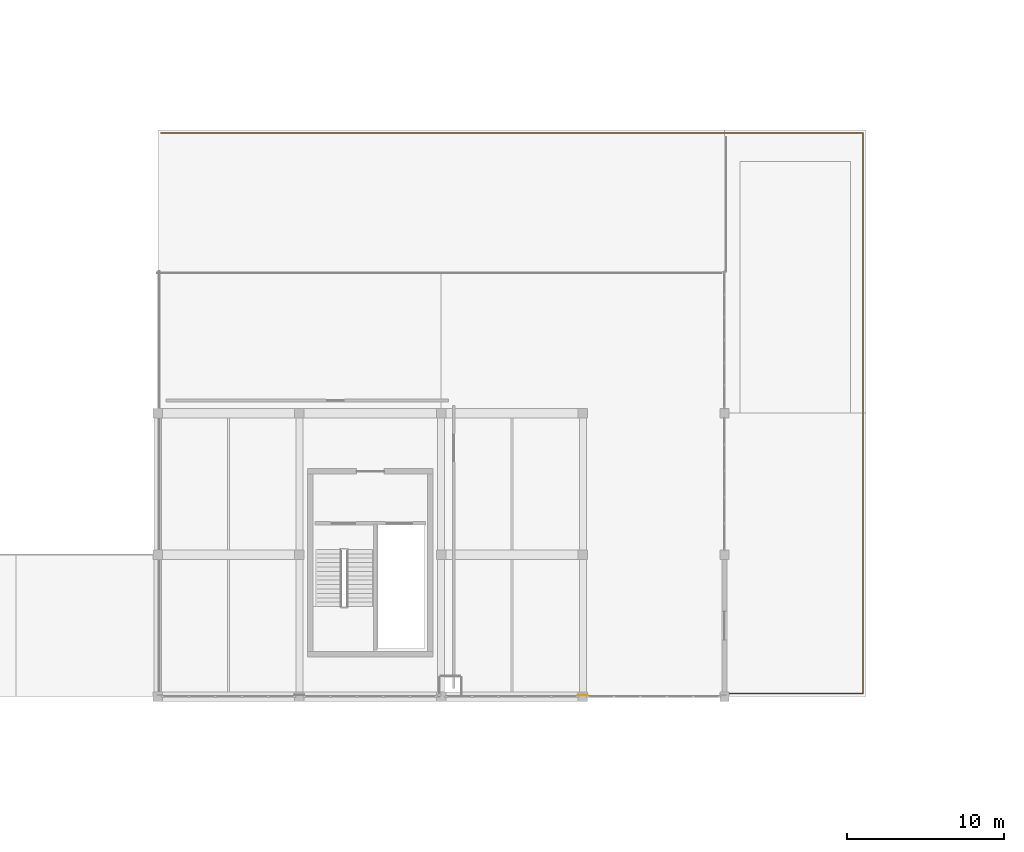
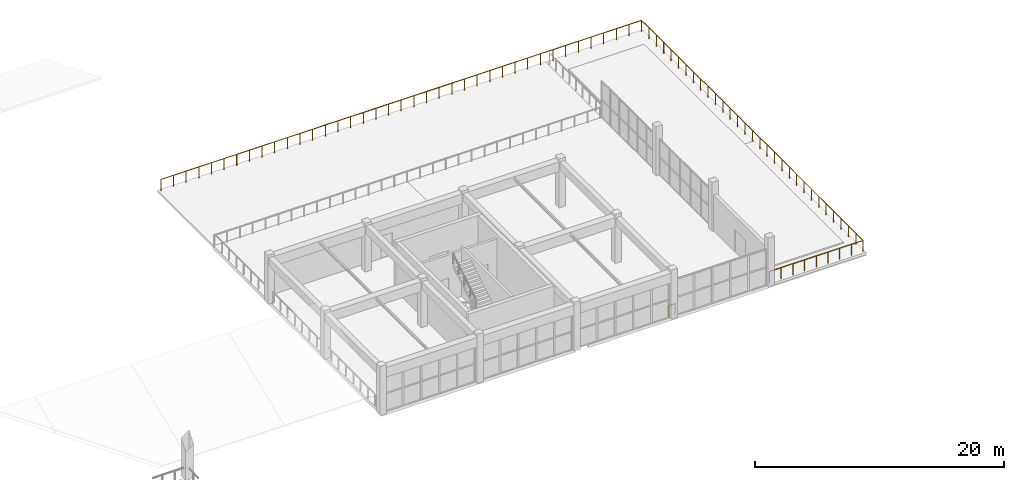
# One storey, part 85 of 89: 2 railings.
"""IFC4 building model written with IfcOpenShell, lengths in metres."""

from ifc_helpers import new_model, si_unit, direction, frame, origin, origin_2d, place, context, subcontext, project, spatial, circle, extrude, material, type_object, element, save


model = new_model("IFC4")

# Units and contexts
model_context = context("Model", 3, precision=1e-05, world=origin(), true_north=direction((0.0, 1.0)))
body_context = subcontext(model_context, "Body", "Model", "MODEL_VIEW")
ifc_project = project(units=[si_unit("LENGTHUNIT", "METRE"), si_unit("AREAUNIT", "SQUARE_METRE"), si_unit("VOLUMEUNIT", "CUBIC_METRE"), si_unit("PLANEANGLEUNIT", "RADIAN"), si_unit("MASSUNIT", "GRAM", prefix="KILO")], contexts=[model_context])

# Site, building, storey
site_placement = place(None, origin())
site = spatial("IfcSite", under=ifc_project, at=site_placement, CompositionType="ELEMENT")
building_placement = place(site_placement, origin())
building = spatial("IfcBuilding", under=site, at=building_placement, Name="Dornveld Trade and Exhibition Forum", CompositionType="ELEMENT")
storey_placement = place(building_placement, frame((0.0, 0.0, 12.0)))
storey = spatial("IfcBuildingStorey", under=building, at=storey_placement, Name="L02", CompositionType="ELEMENT", Elevation=12.0)

# Railings
ifc_material = material(Name="Dark-bronze steel and laminated glass balustrade", Category="steel")
railing_type = type_object("IfcRailingType", Name="RL-BALUST-CONC", PredefinedType="BALUSTRADE", material=ifc_material)
railing_1_placement = place(storey_placement, frame((207.10009765625, 108.199951171875, 0.0)))
element("IfcRailing", 1, at=railing_1_placement, inside=storey, type_object=railing_type, Name="L02 protective edge guard 4", PredefinedType="BALUSTRADE", context=body_context, shape_type="SweptSolid", body=[
    extrude(circle(Radius=0.02490234375, at=origin_2d()), frame((0.0, 0.0, 1.09521484375), z_axis=(1.0, 0.0, 0.0), x_axis=(0.0, 1.0, 0.0)), (0.0, 0.0, 1.0), 8.699951171875),
    extrude(circle(Radius=0.02490234375, at=origin_2d()), frame((8.699951171875, 0.0, 1.09521484375), z_axis=(0.0, 1.0, 0.0), x_axis=(-1.0, 0.0, 0.0)), (0.0, 0.0, 1.0), 35.60009765625),
    extrude(circle(Radius=0.02490234375, at=origin_2d()), frame((8.699951171875, 35.60009765625, 1.09521484375), z_axis=(-1.0, 0.0, 0.0), x_axis=(0.0, -1.0, 0.0)), (0.0, 0.0, 1.0), 44.60009765625),
    extrude(circle(Radius=0.02099609375, at=origin_2d()), origin(), (0.0, 0.0, 1.0), 1.070068359375),
    extrude(circle(Radius=0.02099609375, at=origin_2d()), frame((1.08740234375, 0.0, 0.0)), (0.0, 0.0, 1.0), 1.070068359375),
    extrude(circle(Radius=0.02099609375, at=origin_2d()), frame((2.175048828125, 0.0, 0.0)), (0.0, 0.0, 1.0), 1.070068359375),
    extrude(circle(Radius=0.02099609375, at=origin_2d()), frame((3.262451171875, 0.0, 0.0)), (0.0, 0.0, 1.0), 1.070068359375),
    extrude(circle(Radius=0.02099609375, at=origin_2d()), frame((4.35009765625, 0.0, 0.0)), (0.0, 0.0, 1.0), 1.070068359375),
    extrude(circle(Radius=0.02099609375, at=origin_2d()), frame((5.4375, 0.0, 0.0)), (0.0, 0.0, 1.0), 1.070068359375),
    extrude(circle(Radius=0.02099609375, at=origin_2d()), frame((6.52490234375, 0.0, 0.0)), (0.0, 0.0, 1.0), 1.070068359375),
    extrude(circle(Radius=0.02099609375, at=origin_2d()), frame((7.612548828125, 0.0, 0.0)), (0.0, 0.0, 1.0), 1.070068359375),
    extrude(circle(Radius=0.02099609375, at=origin_2d()), frame((8.699951171875, 0.0, 0.0)), (0.0, 0.0, 1.0), 1.070068359375),
    extrude(circle(Radius=0.02099609375, at=origin_2d()), frame((8.699951171875, 1.186767578125, 0.0)), (0.0, 0.0, 1.0), 1.070068359375),
    extrude(circle(Radius=0.02099609375, at=origin_2d()), frame((8.699951171875, 2.373291015625, 0.0)), (0.0, 0.0, 1.0), 1.070068359375),
    extrude(circle(Radius=0.02099609375, at=origin_2d()), frame((8.699951171875, 3.56005859375, 0.0)), (0.0, 0.0, 1.0), 1.070068359375),
    extrude(circle(Radius=0.02099609375, at=origin_2d()), frame((8.699951171875, 4.74658203125, 0.0)), (0.0, 0.0, 1.0), 1.070068359375),
    extrude(circle(Radius=0.02099609375, at=origin_2d()), frame((8.699951171875, 5.933349609375, 0.0)), (0.0, 0.0, 1.0), 1.070068359375),
    extrude(circle(Radius=0.02099609375, at=origin_2d()), frame((8.699951171875, 7.1201171875, 0.0)), (0.0, 0.0, 1.0), 1.070068359375),
    extrude(circle(Radius=0.02099609375, at=origin_2d()), frame((8.699951171875, 8.306640625, 0.0)), (0.0, 0.0, 1.0), 1.070068359375),
    extrude(circle(Radius=0.02099609375, at=origin_2d()), frame((8.699951171875, 9.493408203125, 0.0)), (0.0, 0.0, 1.0), 1.070068359375),
    extrude(circle(Radius=0.02099609375, at=origin_2d()), frame((8.699951171875, 10.679931640625, 0.0)), (0.0, 0.0, 1.0), 1.070068359375),
    extrude(circle(Radius=0.02099609375, at=origin_2d()), frame((8.699951171875, 11.86669921875, 0.0)), (0.0, 0.0, 1.0), 1.070068359375),
    extrude(circle(Radius=0.02099609375, at=origin_2d()), frame((8.699951171875, 13.053466796875, 0.0)), (0.0, 0.0, 1.0), 1.070068359375),
    extrude(circle(Radius=0.02099609375, at=origin_2d()), frame((8.699951171875, 14.239990234375, 0.0)), (0.0, 0.0, 1.0), 1.070068359375),
    extrude(circle(Radius=0.02099609375, at=origin_2d()), frame((8.699951171875, 15.4267578125, 0.0)), (0.0, 0.0, 1.0), 1.070068359375),
    extrude(circle(Radius=0.02099609375, at=origin_2d()), frame((8.699951171875, 16.61328125, 0.0)), (0.0, 0.0, 1.0), 1.070068359375),
    extrude(circle(Radius=0.02099609375, at=origin_2d()), frame((8.699951171875, 17.800048828125, 0.0)), (0.0, 0.0, 1.0), 1.070068359375),
    extrude(circle(Radius=0.02099609375, at=origin_2d()), frame((8.699951171875, 18.98681640625, 0.0)), (0.0, 0.0, 1.0), 1.070068359375),
    extrude(circle(Radius=0.02099609375, at=origin_2d()), frame((8.699951171875, 20.17333984375, 0.0)), (0.0, 0.0, 1.0), 1.070068359375),
    extrude(circle(Radius=0.02099609375, at=origin_2d()), frame((8.699951171875, 21.360107421875, 0.0)), (0.0, 0.0, 1.0), 1.070068359375),
    extrude(circle(Radius=0.02099609375, at=origin_2d()), frame((8.699951171875, 22.546630859375, 0.0)), (0.0, 0.0, 1.0), 1.070068359375),
    extrude(circle(Radius=0.02099609375, at=origin_2d()), frame((8.699951171875, 23.7333984375, 0.0)), (0.0, 0.0, 1.0), 1.070068359375),
    extrude(circle(Radius=0.02099609375, at=origin_2d()), frame((8.699951171875, 24.920166015625, 0.0)), (0.0, 0.0, 1.0), 1.070068359375),
    extrude(circle(Radius=0.02099609375, at=origin_2d()), frame((8.699951171875, 26.106689453125, 0.0)), (0.0, 0.0, 1.0), 1.070068359375),
    extrude(circle(Radius=0.02099609375, at=origin_2d()), frame((8.699951171875, 27.29345703125, 0.0)), (0.0, 0.0, 1.0), 1.070068359375),
    extrude(circle(Radius=0.02099609375, at=origin_2d()), frame((8.699951171875, 28.47998046875, 0.0)), (0.0, 0.0, 1.0), 1.070068359375),
    extrude(circle(Radius=0.02099609375, at=origin_2d()), frame((8.699951171875, 29.666748046875, 0.0)), (0.0, 0.0, 1.0), 1.070068359375),
    extrude(circle(Radius=0.02099609375, at=origin_2d()), frame((8.699951171875, 30.853515625, 0.0)), (0.0, 0.0, 1.0), 1.070068359375),
    extrude(circle(Radius=0.02099609375, at=origin_2d()), frame((8.699951171875, 32.0400390625, 0.0)), (0.0, 0.0, 1.0), 1.070068359375),
    extrude(circle(Radius=0.02099609375, at=origin_2d()), frame((8.699951171875, 33.226806640625, 0.0)), (0.0, 0.0, 1.0), 1.070068359375),
    extrude(circle(Radius=0.02099609375, at=origin_2d()), frame((8.699951171875, 34.413330078125, 0.0)), (0.0, 0.0, 1.0), 1.070068359375),
    extrude(circle(Radius=0.02099609375, at=origin_2d()), frame((8.699951171875, 35.60009765625, 0.0)), (0.0, 0.0, 1.0), 1.070068359375),
    extrude(circle(Radius=0.02099609375, at=origin_2d()), frame((7.5263671875, 35.60009765625, 0.0)), (0.0, 0.0, 1.0), 1.070068359375),
    extrude(circle(Radius=0.02099609375, at=origin_2d()), frame((6.3525390625, 35.60009765625, 0.0)), (0.0, 0.0, 1.0), 1.070068359375),
    extrude(circle(Radius=0.02099609375, at=origin_2d()), frame((5.178955078125, 35.60009765625, 0.0)), (0.0, 0.0, 1.0), 1.070068359375),
    extrude(circle(Radius=0.02099609375, at=origin_2d()), frame((4.005126953125, 35.60009765625, 0.0)), (0.0, 0.0, 1.0), 1.070068359375),
    extrude(circle(Radius=0.02099609375, at=origin_2d()), frame((2.83154296875, 35.60009765625, 0.0)), (0.0, 0.0, 1.0), 1.070068359375),
    extrude(circle(Radius=0.02099609375, at=origin_2d()), frame((1.65771484375, 35.60009765625, 0.0)), (0.0, 0.0, 1.0), 1.070068359375),
    extrude(circle(Radius=0.02099609375, at=origin_2d()), frame((0.484130859375, 35.60009765625, 0.0)), (0.0, 0.0, 1.0), 1.070068359375),
    extrude(circle(Radius=0.02099609375, at=origin_2d()), frame((-0.689453125, 35.60009765625, 0.0)), (0.0, 0.0, 1.0), 1.070068359375),
    extrude(circle(Radius=0.02099609375, at=origin_2d()), frame((-1.86328125, 35.60009765625, 0.0)), (0.0, 0.0, 1.0), 1.070068359375),
    extrude(circle(Radius=0.02099609375, at=origin_2d()), frame((-3.036865234375, 35.60009765625, 0.0)), (0.0, 0.0, 1.0), 1.070068359375),
    extrude(circle(Radius=0.02099609375, at=origin_2d()), frame((-4.210693359375, 35.60009765625, 0.0)), (0.0, 0.0, 1.0), 1.070068359375),
    extrude(circle(Radius=0.02099609375, at=origin_2d()), frame((-5.38427734375, 35.60009765625, 0.0)), (0.0, 0.0, 1.0), 1.070068359375),
    extrude(circle(Radius=0.02099609375, at=origin_2d()), frame((-6.557861328125, 35.60009765625, 0.0)), (0.0, 0.0, 1.0), 1.070068359375),
    extrude(circle(Radius=0.02099609375, at=origin_2d()), frame((-7.731689453125, 35.60009765625, 0.0)), (0.0, 0.0, 1.0), 1.070068359375),
    extrude(circle(Radius=0.02099609375, at=origin_2d()), frame((-8.9052734375, 35.60009765625, 0.0)), (0.0, 0.0, 1.0), 1.070068359375),
    extrude(circle(Radius=0.02099609375, at=origin_2d()), frame((-10.0791015625, 35.60009765625, 0.0)), (0.0, 0.0, 1.0), 1.070068359375),
    extrude(circle(Radius=0.02099609375, at=origin_2d()), frame((-11.252685546875, 35.60009765625, 0.0)), (0.0, 0.0, 1.0), 1.070068359375),
    extrude(circle(Radius=0.02099609375, at=origin_2d()), frame((-12.426513671875, 35.60009765625, 0.0)), (0.0, 0.0, 1.0), 1.070068359375),
    extrude(circle(Radius=0.02099609375, at=origin_2d()), frame((-13.60009765625, 35.60009765625, 0.0)), (0.0, 0.0, 1.0), 1.070068359375),
    extrude(circle(Radius=0.02099609375, at=origin_2d()), frame((-14.773681640625, 35.60009765625, 0.0)), (0.0, 0.0, 1.0), 1.070068359375),
    extrude(circle(Radius=0.02099609375, at=origin_2d()), frame((-15.947509765625, 35.60009765625, 0.0)), (0.0, 0.0, 1.0), 1.070068359375),
    extrude(circle(Radius=0.02099609375, at=origin_2d()), frame((-17.12109375, 35.60009765625, 0.0)), (0.0, 0.0, 1.0), 1.070068359375),
    extrude(circle(Radius=0.02099609375, at=origin_2d()), frame((-18.294921875, 35.60009765625, 0.0)), (0.0, 0.0, 1.0), 1.070068359375),
    extrude(circle(Radius=0.02099609375, at=origin_2d()), frame((-19.468505859375, 35.60009765625, 0.0)), (0.0, 0.0, 1.0), 1.070068359375),
    extrude(circle(Radius=0.02099609375, at=origin_2d()), frame((-20.642333984375, 35.60009765625, 0.0)), (0.0, 0.0, 1.0), 1.070068359375),
    extrude(circle(Radius=0.02099609375, at=origin_2d()), frame((-21.81591796875, 35.60009765625, 0.0)), (0.0, 0.0, 1.0), 1.070068359375),
    extrude(circle(Radius=0.02099609375, at=origin_2d()), frame((-22.989501953125, 35.60009765625, 0.0)), (0.0, 0.0, 1.0), 1.070068359375),
    extrude(circle(Radius=0.02099609375, at=origin_2d()), frame((-24.163330078125, 35.60009765625, 0.0)), (0.0, 0.0, 1.0), 1.070068359375),
    extrude(circle(Radius=0.02099609375, at=origin_2d()), frame((-25.3369140625, 35.60009765625, 0.0)), (0.0, 0.0, 1.0), 1.070068359375),
    extrude(circle(Radius=0.02099609375, at=origin_2d()), frame((-26.5107421875, 35.60009765625, 0.0)), (0.0, 0.0, 1.0), 1.070068359375),
    extrude(circle(Radius=0.02099609375, at=origin_2d()), frame((-27.684326171875, 35.60009765625, 0.0)), (0.0, 0.0, 1.0), 1.070068359375),
    extrude(circle(Radius=0.02099609375, at=origin_2d()), frame((-28.85791015625, 35.60009765625, 0.0)), (0.0, 0.0, 1.0), 1.070068359375),
    extrude(circle(Radius=0.02099609375, at=origin_2d()), frame((-30.03173828125, 35.60009765625, 0.0)), (0.0, 0.0, 1.0), 1.070068359375),
    extrude(circle(Radius=0.02099609375, at=origin_2d()), frame((-31.205322265625, 35.60009765625, 0.0)), (0.0, 0.0, 1.0), 1.070068359375),
    extrude(circle(Radius=0.02099609375, at=origin_2d()), frame((-32.379150390625, 35.60009765625, 0.0)), (0.0, 0.0, 1.0), 1.070068359375),
    extrude(circle(Radius=0.02099609375, at=origin_2d()), frame((-33.552734375, 35.60009765625, 0.0)), (0.0, 0.0, 1.0), 1.070068359375),
    extrude(circle(Radius=0.02099609375, at=origin_2d()), frame((-34.7265625, 35.60009765625, 0.0)), (0.0, 0.0, 1.0), 1.070068359375),
    extrude(circle(Radius=0.02099609375, at=origin_2d()), frame((-35.900146484375, 35.60009765625, 0.0)), (0.0, 0.0, 1.0), 1.070068359375),
])
railing_2_placement = place(storey_placement, frame((198.2958984375, 108.10009765625, 0.0)))
element("IfcRailing", 2, at=railing_2_placement, inside=storey, type_object=railing_type, Name="L02 deck edge balustrade 117", PredefinedType="BALUSTRADE", context=body_context, shape_type="SweptSolid", body=[
    extrude(circle(Radius=0.02490234375, at=origin_2d()), frame((0.0, 0.0, 1.09521484375), z_axis=(-1.0, 0.0, 0.0), x_axis=(0.0, -1.0, 0.0)), (0.0, 0.0, 1.0), 0.591796875),
    extrude(circle(Radius=0.02099609375, at=origin_2d()), origin(), (0.0, 0.0, 1.0), 1.070068359375),
    extrude(circle(Radius=0.02099609375, at=origin_2d()), frame((-0.591796875, 0.0, 0.0)), (0.0, 0.0, 1.0), 1.070068359375),
])

save(model, "model.ifc")
